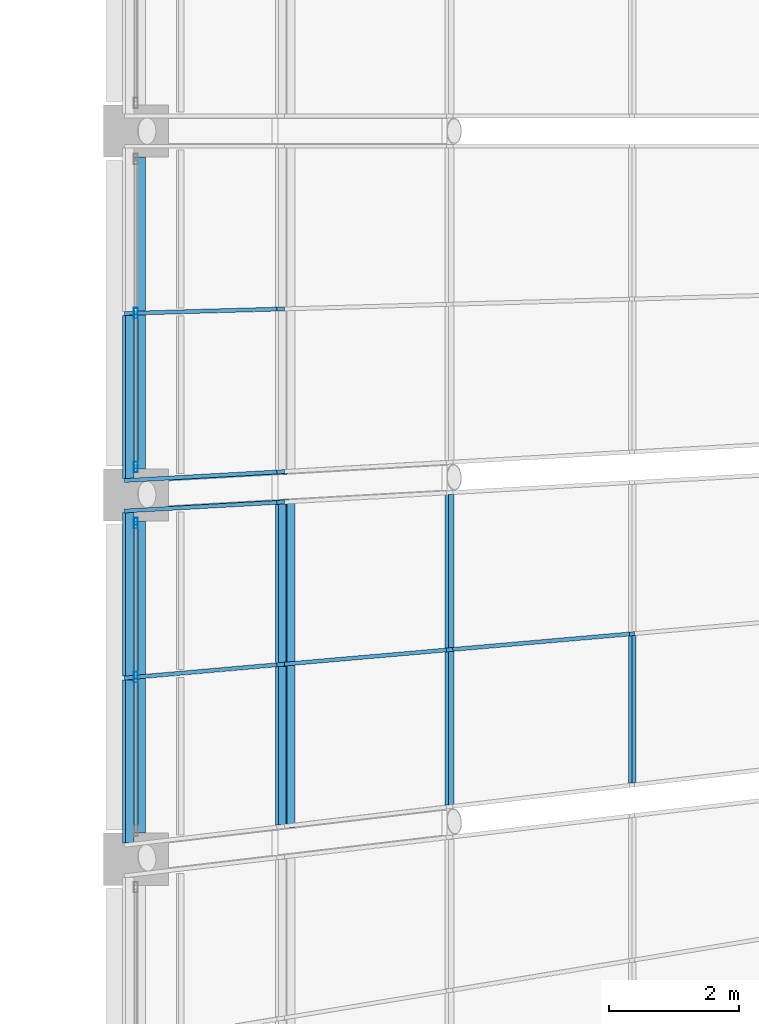
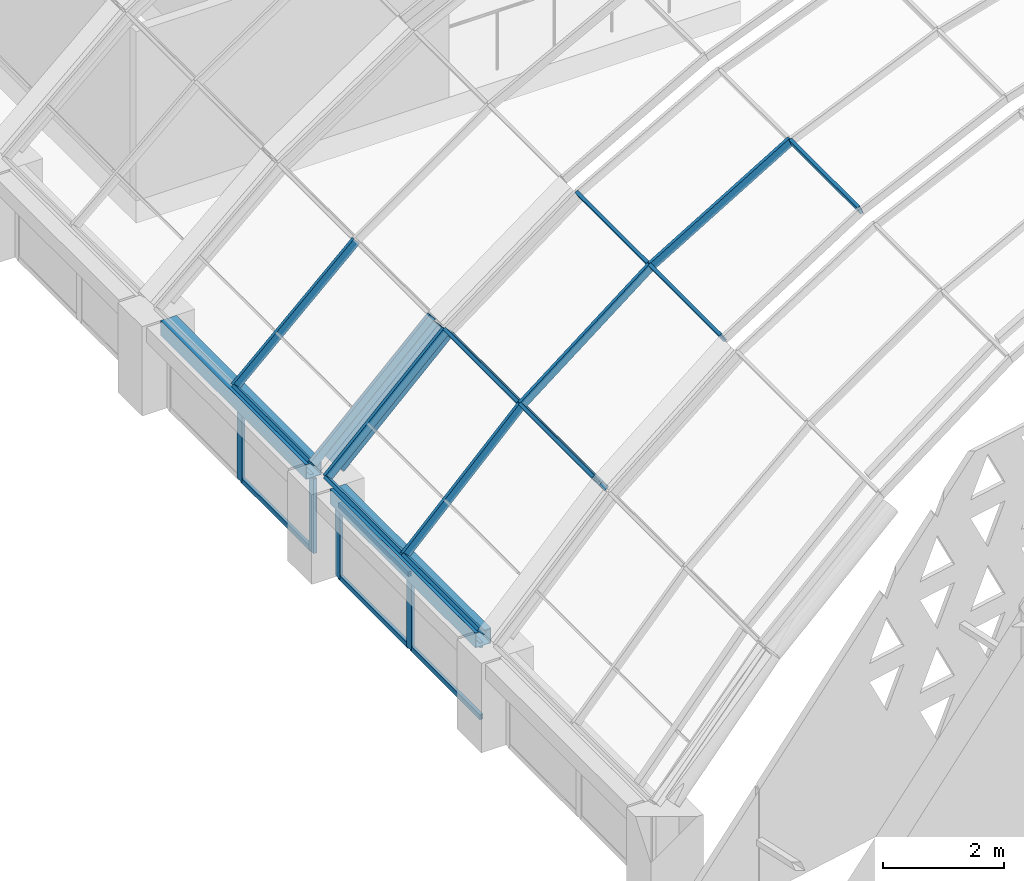
# One storey, part 31 of 182: 26 members, 2 beams, 4 elements without a shape of their own.
"""IFC4 building model written with IfcOpenShell, lengths in metres."""

from ifc_helpers import new_model, si_unit, direction, frame, origin, origin_2d, place, context, subcontext, project, spatial, rectangle, hollow_rectangle, hollow_circle, extrude, material, material_profile, profile_set, type_object, element, aggregate, save


model = new_model("IFC4")

# Units and contexts
model_context = context("Model", 3, precision=1e-05, world=origin(), true_north=direction((0.0, 1.0)))
body_context = subcontext(model_context, "Body", "Model", "MODEL_VIEW")
ifc_project = project(units=[si_unit("LENGTHUNIT", "METRE"), si_unit("AREAUNIT", "SQUARE_METRE"), si_unit("VOLUMEUNIT", "CUBIC_METRE"), si_unit("PLANEANGLEUNIT", "RADIAN"), si_unit("MASSUNIT", "GRAM", prefix="KILO")], contexts=[model_context])

# Site, building, storey
site_placement = place(None, origin())
site = spatial("IfcSite", under=ifc_project, at=site_placement, CompositionType="ELEMENT")
building_placement = place(site_placement, origin())
building = spatial("IfcBuilding", under=site, at=building_placement, Name="Okhra Congress Centre", CompositionType="ELEMENT")
storey_placement = place(building_placement, frame((0.0, 0.0, 7.199951171875)))
storey = spatial("IfcBuildingStorey", under=building, at=storey_placement, Name="L01", CompositionType="ELEMENT", Elevation=7.199951171875)

# Curtain wall, members
ifc_material_1 = material(Name="Aluminium frame with triple glazing", Category="aluminium")
curtain_wall_type_1 = type_object("IfcCurtainWallType", Name="Glazed vault bay curtain wall", PredefinedType="NOTDEFINED", material=ifc_material_1)
curtain_wall_1_placement = place(storey_placement, origin())
curtain_wall_1 = element("IfcCurtainWall", 1, at=curtain_wall_1_placement, inside=storey, type_object=curtain_wall_type_1, Name="Vault glazing bay 2", PredefinedType="NOTDEFINED")
ifc_material_2 = material(Name="Aluminium alloy 6063", Category="aluminium")
ifc_material_profile_1 = material_profile(ifc_material_2, rectangle(XDim=0.06005859375, YDim=0.179931640625, at=origin_2d()), Name="AL 60x180")
ifc_profile_set_1 = profile_set([ifc_material_profile_1], Name="Aluminium alloy 6063")
member_type_1 = type_object("IfcMemberType", Name="Aluminium mullion 60x180", PredefinedType="MULLION", material=ifc_profile_set_1)
member_1_placement = place(storey_placement, frame((155.382568359375, 82.61376953125, 1.916015625), z_axis=(0.746431842792, 0.065235820447, 0.662256590603), x_axis=(-0.087065010231, 0.996202631995, 0.0)))
member_1 = element("IfcMember", 2, at=member_1_placement, type_object=member_type_1, Name="Vault mullion 2.2.1", PredefinedType="MULLION", context=body_context, shape_type="SweptSolid", body=[
    extrude(rectangle(XDim=0.06005859375, YDim=0.179931640625, at=origin_2d()), origin(), (0.0, 0.0, 1.0), 3.13232421875),
])
member_2_placement = place(storey_placement, frame((157.720703125, 82.818115234375, 3.990478515625), z_axis=(0.826663602461, 0.072219127272, 0.558042727775), x_axis=(-0.087030687029, 0.99620563114, 0.0)))
member_2 = element("IfcMember", 3, at=member_2_placement, type_object=member_type_1, Name="Vault mullion 2.2.2", PredefinedType="MULLION", context=body_context, shape_type="SweptSolid", body=[
    extrude(rectangle(XDim=0.06005859375, YDim=0.179931640625, at=origin_2d()), origin(), (0.0, 0.0, 1.0), 3.1337890625),
])
member_3_placement = place(storey_placement, frame((160.311279296875, 83.04443359375, 5.7392578125), z_axis=(0.892529414892, 0.077953227843, 0.444201010605), x_axis=(-0.087008444431, 0.996207574052, 0.0)))
member_3 = element("IfcMember", 4, at=member_3_placement, type_object=member_type_1, Name="Vault mullion 2.2.3", PredefinedType="MULLION", context=body_context, shape_type="SweptSolid", body=[
    extrude(rectangle(XDim=0.06005859375, YDim=0.179931640625, at=origin_2d()), origin(), (0.0, 0.0, 1.0), 3.135009765625),
])
member_4_placement = place(storey_placement, frame((155.382568359375, 85.175537109375, 1.916015625), z_axis=(0.747363226136, 0.042062104927, 0.663082941681), x_axis=(-0.056191748728, 0.99841999548, 0.0)))
member_4 = element("IfcMember", 5, at=member_4_placement, type_object=member_type_1, Name="Vault mullion 2.3.1", PredefinedType="MULLION", context=body_context, shape_type="SweptSolid", body=[
    extrude(rectangle(XDim=0.06005859375, YDim=0.179931640625, at=origin_2d()), origin(), (0.0, 0.0, 1.0), 3.12841796875),
])

curtain_wall_2_placement = place(storey_placement, origin())
curtain_wall_2 = element("IfcCurtainWall", 6, at=curtain_wall_2_placement, inside=storey, type_object=curtain_wall_type_1, Name="Vault glazing bay 3", PredefinedType="NOTDEFINED")
member_5_placement = place(storey_placement, frame((155.382568359375, 85.642578125, 1.916015625), z_axis=(0.747363226136, 0.042062104927, 0.663082941681), x_axis=(-0.056191748728, 0.99841999548, 0.0)))
member_5 = element("IfcMember", 7, at=member_5_placement, type_object=member_type_1, Name="Vault mullion 3.1.1", PredefinedType="MULLION", context=body_context, shape_type="SweptSolid", body=[
    extrude(rectangle(XDim=0.06005859375, YDim=0.179931640625, at=origin_2d()), origin(), (0.0, 0.0, 1.0), 3.12841796875),
])
member_6_placement = place(storey_placement, frame((155.382568359375, 88.20458984375, 1.916015625), z_axis=(0.747858948985, 0.021084046802, 0.663522761775), x_axis=(-0.028181347319, 0.999602826958, 0.0)))
member_6 = element("IfcMember", 8, at=member_6_placement, type_object=member_type_1, Name="Vault mullion 3.2.1", PredefinedType="MULLION", context=body_context, shape_type="SweptSolid", body=[
    extrude(rectangle(XDim=0.06005859375, YDim=0.179931640625, at=origin_2d()), origin(), (0.0, 0.0, 1.0), 3.12646484375),
])

# Member
ifc_material_profile_2 = material_profile(ifc_material_2, rectangle(XDim=0.06005859375, YDim=0.159912109375, at=origin_2d()), Name="AL 60x160 transom")
ifc_profile_set_2 = profile_set([ifc_material_profile_2], Name="Aluminium alloy 6063")
member_type_2 = type_object("IfcMemberType", Name="Aluminium transom 60x160", PredefinedType="USERDEFINED", material=ifc_profile_set_2)
member_7_placement = place(storey_placement, frame((163.11328125, 80.997802734375, 7.12255859375), z_axis=(0.0, 1.0, 0.0), x_axis=(-0.922668973833, 0.0, -0.38559300399)))
member_7 = element("IfcMember", 9, at=member_7_placement, type_object=member_type_2, Name="Vault transom 2.1.4", ObjectType="TRANSOM", PredefinedType="USERDEFINED", context=body_context, shape_type="SweptSolid", body=[
    extrude(rectangle(XDim=0.06005859375, YDim=0.159912109375, at=origin_2d()), origin(), (0.0, 0.0, 1.0), 2.261474609375),
])

ifc_material_profile_3 = material_profile(ifc_material_2, rectangle(XDim=0.06005859375, YDim=0.179931640625, at=origin_2d()), Name="AL 60x180 transom")
ifc_profile_set_3 = profile_set([ifc_material_profile_3], Name="Aluminium alloy 6063")
member_type_3 = type_object("IfcMemberType", Name="Aluminium transom 60x180", PredefinedType="USERDEFINED", material=ifc_profile_set_3)
member_8_placement = place(storey_placement, frame((155.382568359375, 80.08203125, 1.916015625), z_axis=(0.0, 1.0, 0.0), x_axis=(-0.702636070549, 0.0, -0.711549402616)))
member_8 = element("IfcMember", 10, at=member_8_placement, type_object=member_type_3, Name="Vault transom 2.1.1", ObjectType="TRANSOM", PredefinedType="USERDEFINED", context=body_context, shape_type="SweptSolid", body=[
    extrude(rectangle(XDim=0.06005859375, YDim=0.179931640625, at=origin_2d()), origin(), (0.0, 0.0, 1.0), 2.501708984375),
])

member_9_placement = place(storey_placement, frame((157.720703125, 80.359130859375, 3.990478515625), z_axis=(0.0, 1.0, 0.0), x_axis=(-0.790145035185, 0.0, -0.612919915954)))
member_9 = element("IfcMember", 11, at=member_9_placement, type_object=member_type_3, Name="Vault transom 2.1.2", ObjectType="TRANSOM", PredefinedType="USERDEFINED", context=body_context, shape_type="SweptSolid", body=[
    extrude(rectangle(XDim=0.06005859375, YDim=0.179931640625, at=origin_2d()), origin(), (0.0, 0.0, 1.0), 2.428955078125),
])

member_10_placement = place(storey_placement, frame((160.311279296875, 80.666015625, 5.7392578125), z_axis=(0.0, 1.0, 0.0), x_axis=(-0.86391685861, 0.0, -0.503634452167)))
member_10 = element("IfcMember", 12, at=member_10_placement, type_object=member_type_3, Name="Vault transom 2.1.3", ObjectType="TRANSOM", PredefinedType="USERDEFINED", context=body_context, shape_type="SweptSolid", body=[
    extrude(rectangle(XDim=0.06005859375, YDim=0.179931640625, at=origin_2d()), origin(), (0.0, 0.0, 1.0), 2.348388671875),
])

member_11_placement = place(storey_placement, frame((155.382568359375, 82.643798828125, 1.916015625), z_axis=(0.0, 1.0, 0.0), x_axis=(-0.702636070549, 0.0, -0.711549402616)))
member_11 = element("IfcMember", 13, at=member_11_placement, type_object=member_type_3, Name="Vault transom 2.2.1", ObjectType="TRANSOM", PredefinedType="USERDEFINED", context=body_context, shape_type="SweptSolid", body=[
    extrude(rectangle(XDim=0.06005859375, YDim=0.179931640625, at=origin_2d()), origin(), (0.0, 0.0, 1.0), 2.501708984375),
])

member_12_placement = place(storey_placement, frame((157.720703125, 82.84814453125, 3.990478515625), z_axis=(0.0, 1.0, 0.0), x_axis=(-0.790145035185, 0.0, -0.612919915954)))
member_12 = element("IfcMember", 14, at=member_12_placement, type_object=member_type_3, Name="Vault transom 2.2.2", ObjectType="TRANSOM", PredefinedType="USERDEFINED", context=body_context, shape_type="SweptSolid", body=[
    extrude(rectangle(XDim=0.06005859375, YDim=0.179931640625, at=origin_2d()), origin(), (0.0, 0.0, 1.0), 2.428955078125),
])

member_13_placement = place(storey_placement, frame((160.311279296875, 83.074462890625, 5.7392578125), z_axis=(0.0, 1.0, 0.0), x_axis=(-0.86391685861, 0.0, -0.503634452167)))
member_13 = element("IfcMember", 15, at=member_13_placement, type_object=member_type_3, Name="Vault transom 2.2.3", ObjectType="TRANSOM", PredefinedType="USERDEFINED", context=body_context, shape_type="SweptSolid", body=[
    extrude(rectangle(XDim=0.06005859375, YDim=0.179931640625, at=origin_2d()), origin(), (0.0, 0.0, 1.0), 2.348388671875),
])

aggregate(curtain_wall_1, [member_1, member_2, member_3, member_4, member_8, member_9, member_10, member_7, member_11, member_12, member_13])

member_14_placement = place(storey_placement, frame((155.382568359375, 85.672607421875, 1.916015625), z_axis=(0.0, 1.0, 0.0), x_axis=(-0.702636070549, 0.0, -0.711549402616)))
member_14 = element("IfcMember", 16, at=member_14_placement, type_object=member_type_3, Name="Vault transom 3.1.1", ObjectType="TRANSOM", PredefinedType="USERDEFINED", context=body_context, shape_type="SweptSolid", body=[
    extrude(rectangle(XDim=0.06005859375, YDim=0.179931640625, at=origin_2d()), origin(), (0.0, 0.0, 1.0), 2.502197265625),
])

aggregate(curtain_wall_2, [member_5, member_6, member_14])

# Curtain wall, members
ifc_material_3 = material(Name="Aluminium curtain wall, triple glazing", Category="aluminium")
curtain_wall_type_2 = type_object("IfcCurtainWallType", Name="Curtain wall 2100 module", PredefinedType="NOTDEFINED", material=ifc_material_3)
curtain_wall_3_placement = place(storey_placement, origin())
curtain_wall_3 = element("IfcCurtainWall", 17, at=curtain_wall_3_placement, inside=storey, type_object=curtain_wall_type_2, Name="West bay 2 clerestory glazing", PredefinedType="NOTDEFINED")
ifc_material_4 = material(Name="Aluminium alloy EN AW-6063 T66", Category="aluminium")
ifc_material_profile_4 = material_profile(ifc_material_4, hollow_rectangle(XDim=0.06005859375, YDim=0.159912109375, WallThickness=0.00390625, at=origin_2d()), Name="RHS 60x160x4")
ifc_profile_set_4 = profile_set([ifc_material_profile_4], Name="Aluminium alloy EN AW-6063 T66")
member_type_4 = type_object("IfcMemberType", Name="Curtain wall mullion 60x160", PredefinedType="MULLION", material=ifc_profile_set_4)
member_15_placement = place(storey_placement, frame((155.5, 82.62353515625, 0.0), z_axis=(0.0, 0.0, 1.0), x_axis=(-1.0, 0.0, 0.0)))
member_15 = element("IfcMember", 18, at=member_15_placement, type_object=member_type_4, Name="CW4 mullion 2", PredefinedType="MULLION", context=body_context, shape_type="SweptSolid", body=[
    extrude(hollow_rectangle(XDim=0.06005859375, YDim=0.159912109375, WallThickness=0.00390625, at=origin_2d()), origin(), (0.0, 0.0, 1.0), 1.5),
])
member_16_placement = place(storey_placement, frame((155.5, 84.985595703125, 0.0), z_axis=(0.0, 0.0, 1.0), x_axis=(-1.0, 0.0, 0.0)))
member_16 = element("IfcMember", 19, at=member_16_placement, type_object=member_type_4, Name="CW4 mullion 3", PredefinedType="MULLION", context=body_context, shape_type="SweptSolid", body=[
    extrude(hollow_rectangle(XDim=0.06005859375, YDim=0.159912109375, WallThickness=0.00390625, at=origin_2d()), origin(), (0.0, 0.0, 1.0), 1.5),
])

curtain_wall_4_placement = place(storey_placement, origin())
curtain_wall_4 = element("IfcCurtainWall", 20, at=curtain_wall_4_placement, inside=storey, type_object=curtain_wall_type_2, Name="West bay 3 clerestory glazing", PredefinedType="NOTDEFINED")
member_17_placement = place(storey_placement, frame((155.5, 85.845703125, 0.0), z_axis=(0.0, 0.0, 1.0), x_axis=(-1.0, 0.0, 0.0)))
member_17 = element("IfcMember", 21, at=member_17_placement, type_object=member_type_4, Name="CW4 mullion 1", PredefinedType="MULLION", context=body_context, shape_type="SweptSolid", body=[
    extrude(hollow_rectangle(XDim=0.06005859375, YDim=0.159912109375, WallThickness=0.00390625, at=origin_2d()), origin(), (0.0, 0.0, 1.0), 1.5),
])
member_18_placement = place(storey_placement, frame((155.5, 88.207763671875, 0.0), z_axis=(0.0, 0.0, 1.0), x_axis=(-1.0, 0.0, 0.0)))
member_18 = element("IfcMember", 22, at=member_18_placement, type_object=member_type_4, Name="CW4 mullion 2", PredefinedType="MULLION", context=body_context, shape_type="SweptSolid", body=[
    extrude(hollow_rectangle(XDim=0.06005859375, YDim=0.159912109375, WallThickness=0.00390625, at=origin_2d()), origin(), (0.0, 0.0, 1.0), 1.5),
])

# Member
ifc_material_profile_5 = material_profile(ifc_material_4, hollow_rectangle(XDim=0.06005859375, YDim=0.10009765625, WallThickness=0.00390625, at=origin_2d()), Name="RHS 60x100x4")
ifc_profile_set_5 = profile_set([ifc_material_profile_5], Name="Aluminium alloy EN AW-6063 T66")
member_type_5 = type_object("IfcMemberType", Name="Curtain wall transom 60x100", PredefinedType="USERDEFINED", material=ifc_profile_set_5)
member_19_placement = place(storey_placement, frame((155.5, 80.291259765625, 0.030029296875), z_axis=(0.0, 1.0, 0.0), x_axis=(-1.0, 0.0, 0.0)))
member_19 = element("IfcMember", 23, at=member_19_placement, type_object=member_type_5, Name="CW4 transom 1.1", ObjectType="TRANSOM", PredefinedType="USERDEFINED", context=body_context, shape_type="SweptSolid", body=[
    extrude(hollow_rectangle(XDim=0.06005859375, YDim=0.10009765625, WallThickness=0.00390625, at=origin_2d()), origin(), (0.0, 0.0, 1.0), 2.30224609375),
])

member_20_placement = place(storey_placement, frame((155.5, 80.291259765625, 1.469970703125), z_axis=(0.0, 1.0, 0.0), x_axis=(-1.0, 0.0, 0.0)))
member_20 = element("IfcMember", 24, at=member_20_placement, type_object=member_type_5, Name="CW4 transom 1.2", ObjectType="TRANSOM", PredefinedType="USERDEFINED", context=body_context, shape_type="SweptSolid", body=[
    extrude(hollow_rectangle(XDim=0.06005859375, YDim=0.10009765625, WallThickness=0.00390625, at=origin_2d()), origin(), (0.0, 0.0, 1.0), 2.30224609375),
])

member_21_placement = place(storey_placement, frame((155.5, 82.653564453125, 0.030029296875), z_axis=(0.0, 1.0, 0.0), x_axis=(-1.0, 0.0, 0.0)))
member_21 = element("IfcMember", 25, at=member_21_placement, type_object=member_type_5, Name="CW4 transom 2.1", ObjectType="TRANSOM", PredefinedType="USERDEFINED", context=body_context, shape_type="SweptSolid", body=[
    extrude(hollow_rectangle(XDim=0.06005859375, YDim=0.10009765625, WallThickness=0.00390625, at=origin_2d()), origin(), (0.0, 0.0, 1.0), 2.30224609375),
])

member_22_placement = place(storey_placement, frame((155.5, 82.653564453125, 1.469970703125), z_axis=(0.0, 1.0, 0.0), x_axis=(-1.0, 0.0, 0.0)))
member_22 = element("IfcMember", 26, at=member_22_placement, type_object=member_type_5, Name="CW4 transom 2.2", ObjectType="TRANSOM", PredefinedType="USERDEFINED", context=body_context, shape_type="SweptSolid", body=[
    extrude(hollow_rectangle(XDim=0.06005859375, YDim=0.10009765625, WallThickness=0.00390625, at=origin_2d()), origin(), (0.0, 0.0, 1.0), 2.30224609375),
])

aggregate(curtain_wall_3, [member_15, member_16, member_19, member_20, member_21, member_22])

member_23_placement = place(storey_placement, frame((155.5, 85.875732421875, 0.030029296875), z_axis=(0.0, 1.0, 0.0), x_axis=(-1.0, 0.0, 0.0)))
member_23 = element("IfcMember", 27, at=member_23_placement, type_object=member_type_5, Name="CW4 transom 1.1", ObjectType="TRANSOM", PredefinedType="USERDEFINED", context=body_context, shape_type="SweptSolid", body=[
    extrude(hollow_rectangle(XDim=0.06005859375, YDim=0.10009765625, WallThickness=0.00390625, at=origin_2d()), origin(), (0.0, 0.0, 1.0), 2.302001953125),
])

member_24_placement = place(storey_placement, frame((155.5, 85.875732421875, 1.469970703125), z_axis=(0.0, 1.0, 0.0), x_axis=(-1.0, 0.0, 0.0)))
member_24 = element("IfcMember", 28, at=member_24_placement, type_object=member_type_5, Name="CW4 transom 1.2", ObjectType="TRANSOM", PredefinedType="USERDEFINED", context=body_context, shape_type="SweptSolid", body=[
    extrude(hollow_rectangle(XDim=0.06005859375, YDim=0.10009765625, WallThickness=0.00390625, at=origin_2d()), origin(), (0.0, 0.0, 1.0), 2.302001953125),
])

aggregate(curtain_wall_4, [member_17, member_18, member_23, member_24])

# Beams
ifc_material_5 = material(Name="Steel S355J2", Category="steel")
ifc_material_profile_6 = material_profile(ifc_material_5, hollow_rectangle(XDim=0.300048828125, YDim=0.300048828125, WallThickness=0.012451171875, at=origin_2d()), Name="RHS 300x300x12.5")
ifc_profile_set_6 = profile_set([ifc_material_profile_6], Name="Steel S355J2")
beam_type = type_object("IfcBeamType", Name="Steel eaves beam RHS 300x300x12.5", PredefinedType="BEAM", material=ifc_profile_set_6)
beam_1_placement = place(storey_placement, frame((155.5, 80.2314453125, 1.650146484375), z_axis=(0.0, 1.0, 0.0), x_axis=(-1.0, 0.0, 0.0)))
element("IfcBeam", 29, at=beam_1_placement, inside=storey, type_object=beam_type, Name="Eaves beam W2", PredefinedType="BEAM", context=body_context, shape_type="SweptSolid", body=[
    extrude(hollow_rectangle(XDim=0.300048828125, YDim=0.300048828125, WallThickness=0.012451171875, at=origin_2d()), origin(), (0.0, 0.0, 1.0), 4.7841796875),
])
beam_2_placement = place(storey_placement, frame((155.5, 85.815673828125, 1.650146484375), z_axis=(0.0, 1.0, 0.0), x_axis=(-1.0, 0.0, 0.0)))
element("IfcBeam", 30, at=beam_2_placement, inside=storey, type_object=beam_type, Name="Eaves beam W3", PredefinedType="BEAM", context=body_context, shape_type="SweptSolid", body=[
    extrude(hollow_rectangle(XDim=0.300048828125, YDim=0.300048828125, WallThickness=0.012451171875, at=origin_2d()), origin(), (0.0, 0.0, 1.0), 4.784423828125),
])

# Members
ifc_material_profile_7 = material_profile(ifc_material_5, hollow_rectangle(XDim=0.10009765625, YDim=0.199951171875, WallThickness=0.008056640625, at=origin_2d()), Name="RHS 200x100x8")
ifc_profile_set_7 = profile_set([ifc_material_profile_7], Name="Steel S355J2")
member_type_6 = type_object("IfcMemberType", Name="Steel purlin RHS 200x100x8", PredefinedType="PURLIN", material=ifc_profile_set_7)
member_25_placement = place(storey_placement, frame((157.837158203125, 80.31298828125, 3.84033203125), z_axis=(0.0, 1.0, 0.0), x_axis=(-0.790145035185, 0.0, -0.612919915954)))
element("IfcMember", 31, at=member_25_placement, inside=storey, type_object=member_type_6, Name="Vault purlin 2.1", PredefinedType="PURLIN", context=body_context, shape_type="SweptSolid", body=[
    extrude(hollow_rectangle(XDim=0.10009765625, YDim=0.199951171875, WallThickness=0.008056640625, at=origin_2d()), origin(), (0.0, 0.0, 1.0), 5.030517578125),
])
ifc_material_profile_8 = material_profile(ifc_material_5, hollow_circle(Radius=0.203125, WallThickness=0.01611328125, at=origin_2d()), Name="CHS 406.4x16")
ifc_profile_set_8 = profile_set([ifc_material_profile_8], Name="Steel S355J2")
member_type_7 = type_object("IfcMemberType", Name="Tubular steel arch rib CHS 406x16", PredefinedType="USERDEFINED", material=ifc_profile_set_8)
member_26_placement = place(storey_placement, frame((155.67138671875, 85.42529296875, 1.9521484375), z_axis=(0.747378857563, 0.04202780618, 0.663067497904), x_axis=(-0.056144902139, 0.998422630935, 0.0)))
element("IfcMember", 32, at=member_26_placement, inside=storey, type_object=member_type_7, Name="Arch rib 3.1", ObjectType="Arch rib", PredefinedType="USERDEFINED", context=body_context, shape_type="SweptSolid", body=[
    extrude(hollow_circle(Radius=0.203125, WallThickness=0.01611328125, at=origin_2d()), origin(), (0.0, 0.0, 1.0), 2.86376953125),
])

save(model, "model.ifc")
